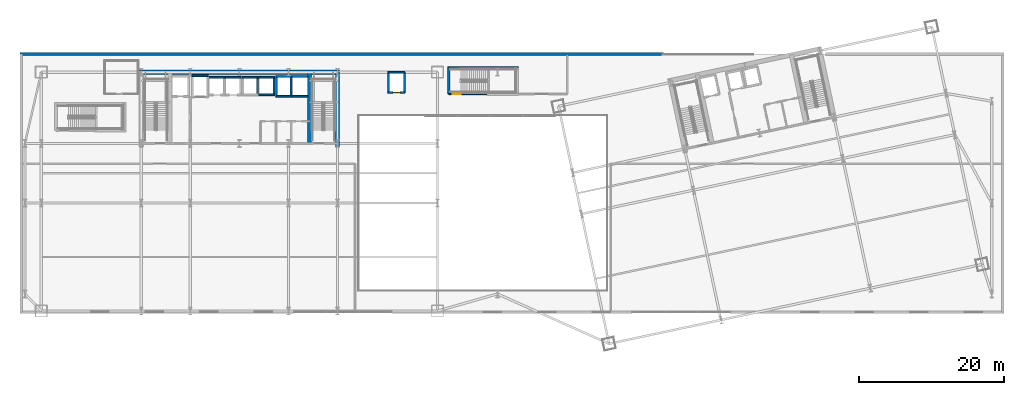
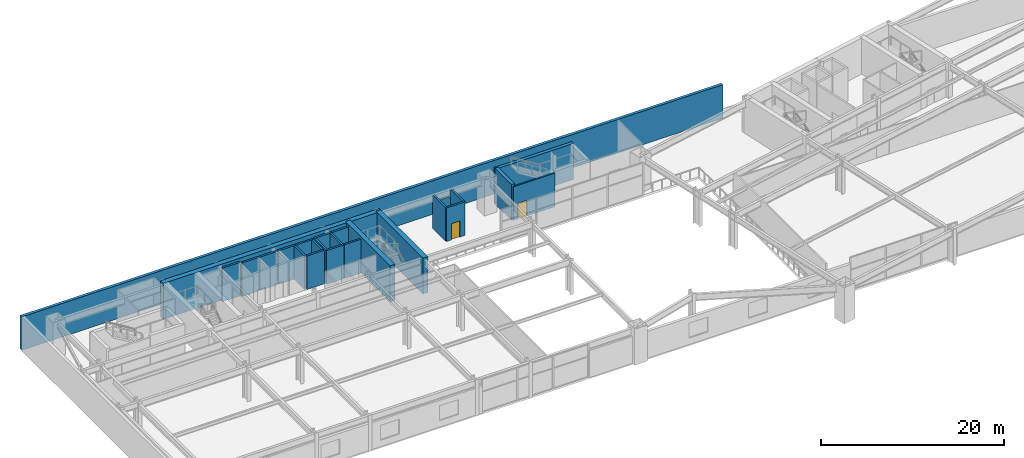
# One storey, part 18 of 30: 25 walls, 2 doors, 2 openings.
"""IFC4 building model written with IfcOpenShell, lengths in metres."""

from ifc_helpers import new_model, si_unit, direction, frame, frame_2d, origin, place, context, subcontext, project, spatial, rectangle, extrude, material, layer, layer_set, type_object, element, fill, save


model = new_model("IFC4")

# Units and contexts
model_context = context("Model", 3, precision=1e-05, world=origin(), true_north=direction((0.0, 1.0)))
body_context = subcontext(model_context, "Body", "Model", "MODEL_VIEW")
ifc_project = project(units=[si_unit("LENGTHUNIT", "METRE"), si_unit("AREAUNIT", "SQUARE_METRE"), si_unit("VOLUMEUNIT", "CUBIC_METRE"), si_unit("PLANEANGLEUNIT", "RADIAN"), si_unit("MASSUNIT", "GRAM", prefix="KILO")], contexts=[model_context])

# Site, building, storey
site_placement = place(None, origin())
site = spatial("IfcSite", under=ifc_project, at=site_placement, CompositionType="ELEMENT")
building_placement = place(site_placement, origin())
building = spatial("IfcBuilding", under=site, at=building_placement, Name="Haevon Station Towers", CompositionType="ELEMENT")
storey_placement = place(building_placement, frame((0.0, 0.0, 15.60009765625)))
storey = spatial("IfcBuildingStorey", under=building, at=storey_placement, Name="L03", CompositionType="ELEMENT", Elevation=15.60009765625)

# Wall, opening, door
ifc_material_1 = material(Name="Gypsum board on steel stud", Category="steel")
ifc_layer_1 = layer(ifc_material_1, 0.199951171875)
ifc_layer_set_1 = layer_set([ifc_layer_1], Name="Gypsum board on steel stud")
wall_type_1 = type_object("IfcWallType", Name="WL-COR200", PredefinedType="PARTITIONING", material=ifc_layer_set_1)
wall_1_placement = place(storey_placement, frame((66.300048828125, 45.0, 0.0), z_axis=(0.0, 0.0, 1.0), x_axis=(1.0, 0.0, 0.0)))
wall_1 = element("IfcWall", 1, at=wall_1_placement, inside=storey, type_object=wall_type_1, Name="WL-ST-ST6-L03-S", PredefinedType="PARTITIONING", context=body_context, shape_type="SweptSolid", body=[
    extrude(rectangle(XDim=5.199951171875, YDim=0.199951171875, at=frame_2d((2.60009765625, 0.0))), origin(), (0.0, 0.0, 1.0), 4.47998046875),
])
opening_1_placement = place(wall_1_placement, frame((0.550048828125, 0.0, 0.0)))
opening_1 = element("IfcOpeningElement", 2, at=opening_1_placement, cuts=wall_1, Name="Opening DR-ST-ST6-L03", PredefinedType="OPENING", context=body_context, shape_type="SweptSolid", body=[
    extrude(rectangle(XDim=1.1201171875, YDim=2.10009765625, at=frame_2d((0.56005859375, 1.050048828125))), frame((0.0, 0.10986328125, 0.0), z_axis=(0.0, -1.0, 0.0), x_axis=(1.0, 0.0, 0.0)), (0.0, 0.0, 1.0), 0.219970703125),
])
ifc_material_2 = material(Name="Engineered oak timber", Category="wood")
door_type_1 = type_object("IfcDoorType", Name="DR-ST-1120", OperationType="NOTDEFINED", PredefinedType="DOOR", material=ifc_material_2)
door_1_placement = place(opening_1_placement, origin())
door_1 = element("IfcDoor", 3, at=door_1_placement, inside=storey, type_object=door_type_1, Name="L03 Station Escape Stair ST6 Fire Door", OperationType="SINGLE_SWING_LEFT", OverallHeight=2.10009765625, OverallWidth=1.1201171875, PredefinedType="DOOR", context=body_context, shape_type="SweptSolid", body=[
    extrude(rectangle(XDim=1.1201171875, YDim=2.10009765625, at=frame_2d((0.56005859375, 1.050048828125))), frame((0.0, 0.02490234375, 0.0), z_axis=(0.0, -1.0, 0.0), x_axis=(1.0, 0.0, 0.0)), (0.0, 0.0, 1.0), 0.050048828125),
])
fill(opening_1, door_1)

# Walls
ifc_material_3 = material(Name="Concrete C60/75", Category="concrete")
ifc_layer_2 = layer(ifc_material_3, 0.39990234375)
ifc_layer_set_2 = layer_set([ifc_layer_2], Name="Concrete C60/75")
wall_type_2 = type_object("IfcWallType", Name="WL-CR400", PredefinedType="SHEAR", material=ifc_layer_set_2)
wall_2_placement = place(storey_placement, frame((66.10009765625, 48.60009765625, 0.0), z_axis=(0.0, 0.0, 1.0), x_axis=(1.0, 0.0, 0.0)))
element("IfcWall", 4, at=wall_2_placement, inside=storey, type_object=wall_type_2, Name="WL-ST6CR-L03-N", PredefinedType="SHEAR", context=body_context, shape_type="SweptSolid", body=[
    extrude(rectangle(XDim=9.7998046875, YDim=0.39990234375, at=frame_2d((4.89990234375, 0.0))), origin(), (0.0, 0.0, 1.0), 4.7998046875),
])
wall_3_placement = place(storey_placement, frame((66.300048828125, 45.0, 0.0), z_axis=(0.0, 0.0, 1.0), x_axis=(0.0, 1.0, 0.0)))
element("IfcWall", 5, at=wall_3_placement, inside=storey, type_object=wall_type_2, Name="WL-ST6CR-L03-W", PredefinedType="SHEAR", context=body_context, shape_type="SweptSolid", body=[
    extrude(rectangle(XDim=3.60009765625, YDim=0.39990234375, at=frame_2d((1.800048828125, 0.0))), origin(), (0.0, 0.0, 1.0), 4.7998046875),
])
ifc_layer_3 = layer(ifc_material_3, 0.60009765625)
ifc_layer_set_3 = layer_set([ifc_layer_3], Name="Concrete C60/75")
wall_type_3 = type_object("IfcWallType", Name="WL-CR600", PredefinedType="SHEAR", material=ifc_layer_set_3)
wall_4_placement = place(storey_placement, frame((23.699951171875, 48.0, 0.0), z_axis=(0.0, 0.0, 1.0), x_axis=(1.0, 0.0, 0.0)))
element("IfcWall", 6, at=wall_4_placement, inside=storey, type_object=wall_type_3, Name="WL-T1CR-L03-N", PredefinedType="SHEAR", context=body_context, shape_type="SweptSolid", body=[
    extrude(rectangle(XDim=27.60009765625, YDim=0.60009765625, at=frame_2d((13.800048828125, 0.0))), origin(), (0.0, 0.0, 1.0), 4.7998046875),
])
wall_5_placement = place(storey_placement, frame((51.0, 37.679931640625, 0.0), z_axis=(0.0, 0.0, 1.0), x_axis=(0.0, 1.0, 0.0)))
element("IfcWall", 7, at=wall_5_placement, inside=storey, type_object=wall_type_3, Name="WL-T1CR-L03-E", PredefinedType="SHEAR", context=body_context, shape_type="SweptSolid", body=[
    extrude(rectangle(XDim=10.320068359375, YDim=0.60009765625, at=frame_2d((5.16015625, 0.0))), origin(), (0.0, 0.0, 1.0), 4.7998046875),
])
wall_6_placement = place(storey_placement, frame((47.14990234375, 38.199951171875, 0.0), z_axis=(0.0, 0.0, 1.0), x_axis=(0.0, 1.0, 0.0)))
element("IfcWall", 8, at=wall_6_placement, inside=storey, type_object=wall_type_3, Name="WL-T1CR-L03-M2", PredefinedType="SHEAR", context=body_context, shape_type="SweptSolid", body=[
    extrude(rectangle(XDim=9.800048828125, YDim=0.60009765625, at=frame_2d((4.89990234375, 0.0))), origin(), (0.0, 0.0, 1.0), 4.7998046875),
])
ifc_material_4 = material(Name="Precast concrete C45/55", Category="concrete")
ifc_layer_4 = layer(ifc_material_4, 0.360107421875)
ifc_layer_set_4 = layer_set([ifc_layer_4], Name="Precast concrete C45/55")
wall_type_4 = type_object("IfcWallType", Name="WL-EXT-POD360", PredefinedType="SOLIDWALL", material=ifc_layer_set_4)
wall_7_placement = place(storey_placement, frame((7.320068359375, 50.5, 0.0), z_axis=(0.0, 0.0, 1.0), x_axis=(1.0, 0.0, 0.0)))
element("IfcWall", 9, at=wall_7_placement, inside=storey, type_object=wall_type_4, Name="WL-POD-L03-N1", PredefinedType="SOLIDWALL", context=body_context, shape_type="SweptSolid", body=[
    extrude(rectangle(XDim=88.530029296875, YDim=0.360107421875, at=frame_2d((44.26513671875, 0.0))), origin(), (0.0, 0.0, 1.0), 4.47998046875),
])
ifc_material_5 = material(Name="Concrete C40/50", Category="concrete")
ifc_layer_5 = layer(ifc_material_5, 0.239990234375)
ifc_layer_set_5 = layer_set([ifc_layer_5], Name="Concrete C40/50")
wall_type_5 = type_object("IfcWallType", Name="WL-SHF240", PredefinedType="PARTITIONING", material=ifc_layer_set_5)
wall_8_placement = place(storey_placement, frame((30.969970703125, 47.5, 0.0), z_axis=(0.0, 0.0, 1.0), x_axis=(1.0, 0.0, 0.0)))
element("IfcWall", 10, at=wall_8_placement, inside=storey, type_object=wall_type_5, Name="WL-SHF-SL1-L03-N", PredefinedType="PARTITIONING", context=body_context, shape_type="SweptSolid", body=[
    extrude(rectangle(XDim=2.260009765625, YDim=0.239990234375, at=frame_2d((1.1298828125, 0.0))), origin(), (0.0, 0.0, 1.0), 4.47998046875),
])
for number, where, z_axis, x_axis, name in (
    (11, (33.320068359375, 47.300048828125, 0.0), (0.0, 0.0, 1.0), (1.0, 0.0, 0.0), "WL-SHF-PL1-L03-N"),
    (12, (35.570068359375, 47.300048828125, 0.0), (0.0, 0.0, 1.0), (1.0, 0.0, 0.0), "WL-SHF-PL2-L03-N"),
):
    element("IfcWall", number, at=place(storey_placement, frame(where, z_axis=z_axis, x_axis=x_axis)), inside=storey, type_object=wall_type_5, Name=name, PredefinedType="PARTITIONING", context=body_context, shape_type="SweptSolid", body=[
        extrude(rectangle(XDim=2.159912109375, YDim=0.239990234375, at=frame_2d((1.080078125, 0.0))), origin(), (0.0, 0.0, 1.0), 4.47998046875),
    ])
wall_9_placement = place(storey_placement, frame((37.919921875, 47.300048828125, 0.0), z_axis=(0.0, 0.0, 1.0), x_axis=(1.0, 0.0, 0.0)))
element("IfcWall", 13, at=wall_9_placement, inside=storey, type_object=wall_type_5, Name="WL-SHF-PL3-L03-N", PredefinedType="PARTITIONING", context=body_context, shape_type="SweptSolid", body=[
    extrude(rectangle(XDim=2.16015625, YDim=0.239990234375, at=frame_2d((1.080078125, 0.0))), origin(), (0.0, 0.0, 1.0), 4.47998046875),
])
wall_10_placement = place(storey_placement, frame((40.0, 44.89990234375, 0.0), z_axis=(0.0, 0.0, 1.0), x_axis=(0.0, 1.0, 0.0)))
element("IfcWall", 14, at=wall_10_placement, inside=storey, type_object=wall_type_5, Name="WL-SHF-PL3-L03-E", PredefinedType="PARTITIONING", context=body_context, shape_type="SweptSolid", body=[
    extrude(rectangle(XDim=2.400146484375, YDim=0.239990234375, at=frame_2d((1.2001953125, 0.0))), origin(), (0.0, 0.0, 1.0), 4.47998046875),
])
for number, where, z_axis, x_axis, name in (
    (15, (40.169921875, 44.89990234375, 0.0), (0.0, 0.0, 1.0), (1.0, 0.0, 0.0), "WL-SHF-PL4-L03"),
    (16, (40.169921875, 47.300048828125, 0.0), (0.0, 0.0, 1.0), (1.0, 0.0, 0.0), "WL-SHF-PL4-L03-N"),
):
    element("IfcWall", number, at=place(storey_placement, frame(where, z_axis=z_axis, x_axis=x_axis)), inside=storey, type_object=wall_type_5, Name=name, PredefinedType="PARTITIONING", context=body_context, shape_type="SweptSolid", body=[
        extrude(rectangle(XDim=2.16015625, YDim=0.239990234375, at=frame_2d((1.080078125, 0.0))), origin(), (0.0, 0.0, 1.0), 4.47998046875),
    ])
wall_11_placement = place(storey_placement, frame((42.25, 44.89990234375, 0.0), z_axis=(0.0, 0.0, 1.0), x_axis=(0.0, 1.0, 0.0)))
element("IfcWall", 17, at=wall_11_placement, inside=storey, type_object=wall_type_5, Name="WL-SHF-PL4-L03-E", PredefinedType="PARTITIONING", context=body_context, shape_type="SweptSolid", body=[
    extrude(rectangle(XDim=2.400146484375, YDim=0.239990234375, at=frame_2d((1.2001953125, 0.0))), origin(), (0.0, 0.0, 1.0), 4.47998046875),
])
for number, where, z_axis, x_axis, name in (
    (18, (42.52001953125, 44.699951171875, 0.0), (0.0, 0.0, 1.0), (1.0, 0.0, 0.0), "WL-SHF-PL5-L03"),
    (19, (42.52001953125, 47.39990234375, 0.0), (0.0, 0.0, 1.0), (1.0, 0.0, 0.0), "WL-SHF-PL5-L03-N"),
):
    element("IfcWall", number, at=place(storey_placement, frame(where, z_axis=z_axis, x_axis=x_axis)), inside=storey, type_object=wall_type_5, Name=name, PredefinedType="PARTITIONING", context=body_context, shape_type="SweptSolid", body=[
        extrude(rectangle(XDim=2.159912109375, YDim=0.239990234375, at=frame_2d((1.080078125, 0.0))), origin(), (0.0, 0.0, 1.0), 4.47998046875),
    ])
for number, where, z_axis, x_axis, name in (
    (20, (42.60009765625, 44.699951171875, 0.0), (0.0, 0.0, 1.0), (0.0, 1.0, 0.0), "WL-SHF-PL5-L03-W"),
    (21, (44.60009765625, 44.699951171875, 0.0), (0.0, 0.0, 1.0), (0.0, 1.0, 0.0), "WL-SHF-PL5-L03-E"),
):
    element("IfcWall", number, at=place(storey_placement, frame(where, z_axis=z_axis, x_axis=x_axis)), inside=storey, type_object=wall_type_5, Name=name, PredefinedType="PARTITIONING", context=body_context, shape_type="SweptSolid", body=[
        extrude(rectangle(XDim=2.699951171875, YDim=0.239990234375, at=frame_2d((1.35009765625, 0.0))), origin(), (0.0, 0.0, 1.0), 4.47998046875),
    ])
for number, where, z_axis, x_axis, name in (
    (22, (44.77001953125, 44.699951171875, 0.0), (0.0, 0.0, 1.0), (1.0, 0.0, 0.0), "WL-SHF-PL6-L03"),
    (23, (44.77001953125, 47.39990234375, 0.0), (0.0, 0.0, 1.0), (1.0, 0.0, 0.0), "WL-SHF-PL6-L03-N"),
):
    element("IfcWall", number, at=place(storey_placement, frame(where, z_axis=z_axis, x_axis=x_axis)), inside=storey, type_object=wall_type_5, Name=name, PredefinedType="PARTITIONING", context=body_context, shape_type="SweptSolid", body=[
        extrude(rectangle(XDim=2.159912109375, YDim=0.239990234375, at=frame_2d((1.080078125, 0.0))), origin(), (0.0, 0.0, 1.0), 4.47998046875),
    ])

# Wall, opening, door
wall_12_placement = place(storey_placement, frame((57.919921875, 45.199951171875, 0.0), z_axis=(0.0, 0.0, 1.0), x_axis=(1.0, 0.0, 0.0)))
wall_12 = element("IfcWall", 24, at=wall_12_placement, inside=storey, type_object=wall_type_5, Name="WL-SHF-PL11-L03", PredefinedType="PARTITIONING", context=body_context, shape_type="SweptSolid", body=[
    extrude(rectangle(XDim=2.360107421875, YDim=0.239990234375, at=frame_2d((1.18017578125, 0.0))), origin(), (0.0, 0.0, 1.0), 4.47998046875),
])
opening_2_placement = place(wall_12_placement, frame((0.655029296875, 0.0, 0.0)))
opening_2 = element("IfcOpeningElement", 25, at=opening_2_placement, cuts=wall_12, Name="Opening LD-PL11-L03", PredefinedType="OPENING", context=body_context, shape_type="SweptSolid", body=[
    extrude(rectangle(XDim=1.050048828125, YDim=2.14990234375, at=frame_2d((0.52490234375, 1.074951171875))), frame((0.0, 0.1298828125, 0.0), z_axis=(0.0, -1.0, 0.0), x_axis=(1.0, 0.0, 0.0)), (0.0, 0.0, 1.0), 0.260009765625),
])
ifc_material_6 = material(Name="Stainless steel and rated core", Category="steel")
door_type_2 = type_object("IfcDoorType", Name="LD-PL1050", OperationType="SLIDING_TO_LEFT", PredefinedType="DOOR", material=ifc_material_6)
door_2_placement = place(opening_2_placement, origin())
door_2 = element("IfcDoor", 26, at=door_2_placement, inside=storey, type_object=door_type_2, Name="L03 Lift PL11 Sliding Landing Door", OperationType="SLIDING_TO_LEFT", OverallHeight=2.14990234375, OverallWidth=1.050048828125, PredefinedType="DOOR", context=body_context, shape_type="SweptSolid", body=[
    extrude(rectangle(XDim=1.050048828125, YDim=2.14990234375, at=frame_2d((0.52490234375, 1.074951171875))), frame((0.0, 0.02490234375, 0.0), z_axis=(0.0, -1.0, 0.0), x_axis=(1.0, 0.0, 0.0)), (0.0, 0.0, 1.0), 0.050048828125),
])
fill(opening_2, door_2)

# Walls
wall_13_placement = place(storey_placement, frame((57.919921875, 48.0, 0.0), z_axis=(0.0, 0.0, 1.0), x_axis=(1.0, 0.0, 0.0)))
element("IfcWall", 27, at=wall_13_placement, inside=storey, type_object=wall_type_5, Name="WL-SHF-PL11-L03-N", PredefinedType="PARTITIONING", context=body_context, shape_type="SweptSolid", body=[
    extrude(rectangle(XDim=2.360107421875, YDim=0.239990234375, at=frame_2d((1.18017578125, 0.0))), origin(), (0.0, 0.0, 1.0), 3.579833984375),
])
for number, where, z_axis, x_axis, name in (
    (28, (58.0, 45.199951171875, 0.0), (0.0, 0.0, 1.0), (0.0, 1.0, 0.0), "WL-SHF-PL11-L03-W"),
    (29, (60.199951171875, 45.199951171875, 0.0), (0.0, 0.0, 1.0), (0.0, 1.0, 0.0), "WL-SHF-PL11-L03-E"),
):
    element("IfcWall", number, at=place(storey_placement, frame(where, z_axis=z_axis, x_axis=x_axis)), inside=storey, type_object=wall_type_5, Name=name, PredefinedType="PARTITIONING", context=body_context, shape_type="SweptSolid", body=[
        extrude(rectangle(XDim=2.800048828125, YDim=0.239990234375, at=frame_2d((1.39990234375, 0.0))), origin(), (0.0, 0.0, 1.0), 4.47998046875),
    ])

save(model, "model.ifc")
